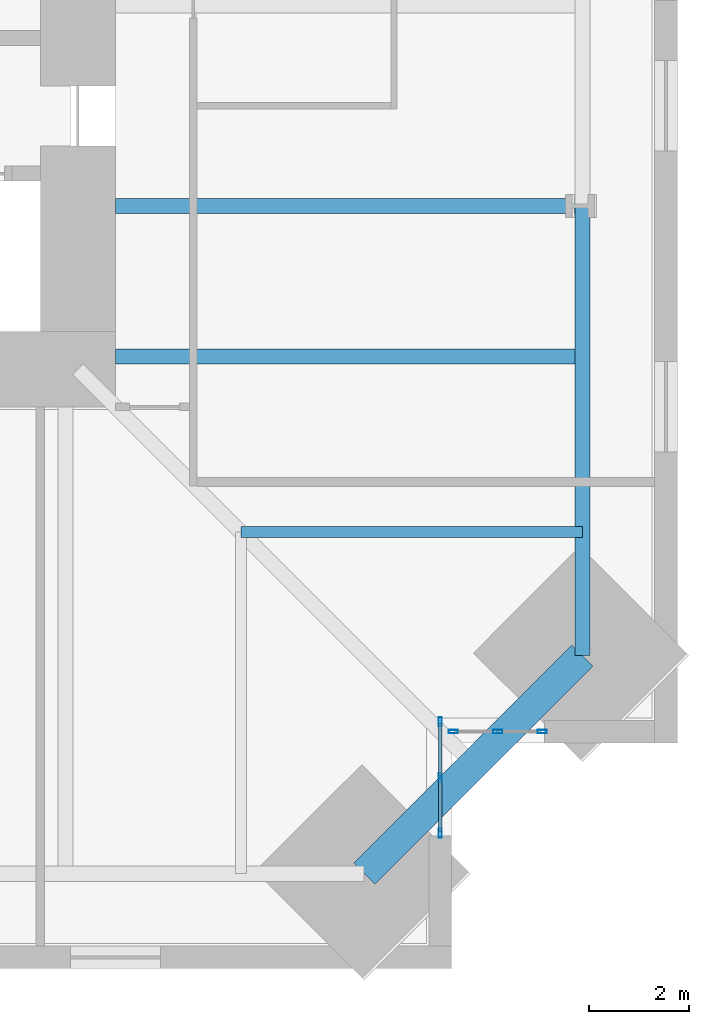
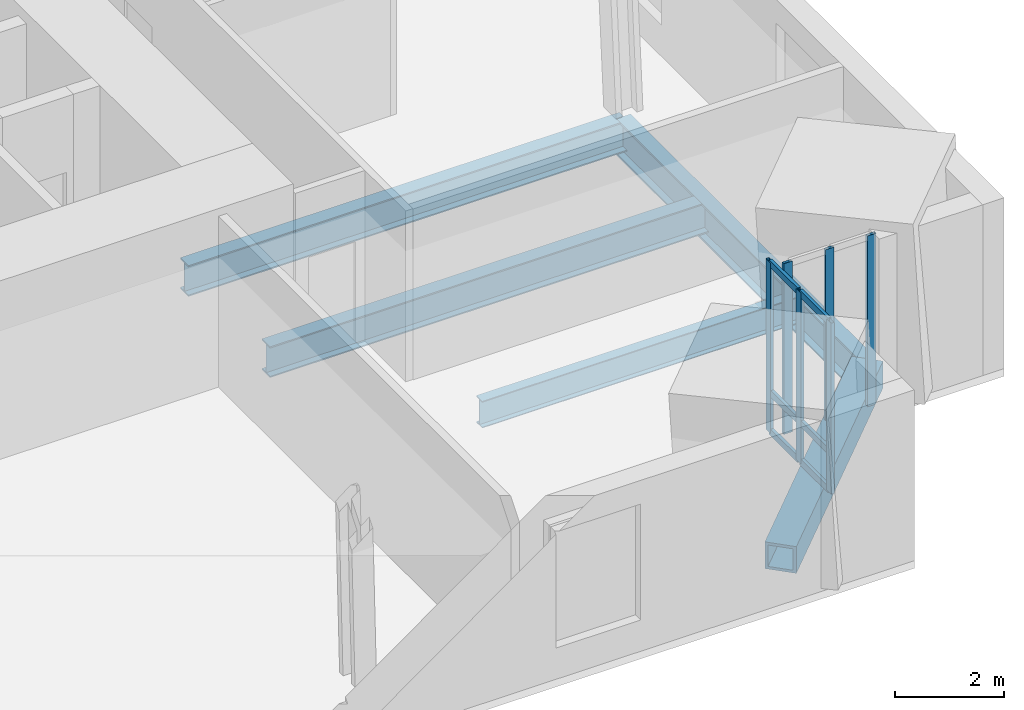
# One storey, part 4 of 15: 12 members, 5 beams, 2 elements without a shape of their own.
"""IFC4 building model written with IfcOpenShell, lengths in metres."""

from ifc_helpers import new_model, si_unit, direction, frame, origin, origin_2d, place, context, subcontext, project, spatial, hollow_rectangle, i_section, extrude, material, material_profile, profile_set, type_object, element, aggregate, save


model = new_model("IFC4")

# Units and contexts
model_context = context("Model", 3, precision=1e-05, world=origin(), true_north=direction((0.0, 1.0)))
body_context = subcontext(model_context, "Body", "Model", "MODEL_VIEW")
ifc_project = project(units=[si_unit("LENGTHUNIT", "METRE"), si_unit("AREAUNIT", "SQUARE_METRE"), si_unit("VOLUMEUNIT", "CUBIC_METRE"), si_unit("PLANEANGLEUNIT", "RADIAN"), si_unit("MASSUNIT", "GRAM", prefix="KILO")], contexts=[model_context])

# Site, building, storey
site_placement = place(None, origin())
site = spatial("IfcSite", under=ifc_project, at=site_placement, CompositionType="ELEMENT")
building_placement = place(site_placement, origin())
building = spatial("IfcBuilding", under=site, at=building_placement, Name="Peilmerk Tower", CompositionType="ELEMENT")
storey_placement = place(building_placement, frame((0.0, 0.0, 237.800048828125)))
storey = spatial("IfcBuildingStorey", under=building, at=storey_placement, Name="L52", CompositionType="ELEMENT", Elevation=237.800048828125)

# Beams
ifc_material_1 = material(Name="Steel S355", Category="steel")
ifc_material_profile_1 = material_profile(ifc_material_1, i_section(OverallWidth=0.219970703125, OverallDepth=0.60009765625, WebThickness=0.011962890625, FlangeThickness=0.01904296875, at=origin_2d()), Name="IPE 600")
ifc_profile_set_1 = profile_set([ifc_material_profile_1], Name="Steel S355")
beam_type_1 = type_object("IfcBeamType", Name="B10 IPE 600 floor beam", PredefinedType="BEAM", material=ifc_profile_set_1)
beam_1_placement = place(storey_placement, frame((14.5, -14.5, -0.469970703125), z_axis=(1.0, 0.0, 0.0), x_axis=(0.0, 1.0, 0.0)))
element("IfcBeam", 1, at=beam_1_placement, inside=storey, type_object=beam_type_1, Name="Floor beam L52", PredefinedType="BEAM", context=body_context, shape_type="SweptSolid", body=[
    extrude(i_section(OverallWidth=0.219970703125, OverallDepth=0.60009765625, WebThickness=0.011962890625, FlangeThickness=0.01904296875, at=origin_2d()), origin(), (0.0, 0.0, 1.0), 6.80810546875),
])
ifc_material_profile_2 = material_profile(ifc_material_1, i_section(OverallWidth=0.302978515625, OverallDepth=0.81396484375, WebThickness=0.02099609375, FlangeThickness=0.0400390625, at=origin_2d()), Name="HEM 800")
ifc_profile_set_2 = profile_set([ifc_material_profile_2], Name="Steel S355")
beam_type_2 = type_object("IfcBeamType", Name="B15 HEM 800 edge beam", PredefinedType="SPANDREL", material=ifc_profile_set_2)
beam_2_placement = place(storey_placement, frame((21.30810546875, -16.9580078125, -0.5771484375), z_axis=(0.0, 1.0, 0.0), x_axis=(-1.0, 0.0, 0.0)))
element("IfcBeam", 2, at=beam_2_placement, inside=storey, type_object=beam_type_2, Name="Edge beam L52", PredefinedType="SPANDREL", context=body_context, shape_type="SweptSolid", body=[
    extrude(i_section(OverallWidth=0.302978515625, OverallDepth=0.81396484375, WebThickness=0.02099609375, FlangeThickness=0.0400390625, at=origin_2d()), origin(), (0.0, 0.0, 1.0), 8.9580078125),
])
ifc_material_profile_3 = material_profile(ifc_material_1, i_section(OverallWidth=0.300048828125, OverallDepth=0.68994140625, WebThickness=0.014404296875, FlangeThickness=0.027099609375, at=origin_2d()), Name="HEA 700")
ifc_profile_set_3 = profile_set([ifc_material_profile_3], Name="Steel S355")
beam_type_3 = type_object("IfcBeamType", Name="B16 HEA 700 floor beam", PredefinedType="BEAM", material=ifc_profile_set_3)
for number, where, z_axis, x_axis, name in (
    (3, (12.0, -11.0, -0.51513671875), (1.0, 0.0, 0.0), (0.0, 1.0, 0.0), "Floor beam L52"),
    (4, (12.0, -8.0, -0.51513671875), (1.0, 0.0, 0.0), (0.0, 1.0, 0.0), "Floor beam L52"),
):
    element("IfcBeam", number, at=place(storey_placement, frame(where, z_axis=z_axis, x_axis=x_axis)), inside=storey, type_object=beam_type_3, Name=name, PredefinedType="BEAM", context=body_context, shape_type="SweptSolid", body=[
        extrude(i_section(OverallWidth=0.300048828125, OverallDepth=0.68994140625, WebThickness=0.014404296875, FlangeThickness=0.027099609375, at=origin_2d()), origin(), (0.0, 0.0, 1.0), 9.30810546875),
    ])
ifc_material_2 = material(Name="Steel S460", Category="steel")
ifc_material_profile_4 = material_profile(ifc_material_2, hollow_rectangle(XDim=0.60009765625, YDim=0.60009765625, WallThickness=0.06005859375, at=origin_2d()), Name="BOX 600x600x60")
ifc_profile_set_4 = profile_set([ifc_material_profile_4], Name="Steel S460")
beam_type_4 = type_object("IfcBeamType", Name="B20 BOX 600x600x60 notch beam", PredefinedType="SPANDREL", material=ifc_profile_set_4)
beam_3_placement = place(storey_placement, frame((21.30810546875, -16.9580078125, -0.469970703125), z_axis=(-0.707106781187, -0.707106781187, 0.0), x_axis=(0.707106781187, -0.707106781187, 0.0)))
element("IfcBeam", 5, at=beam_3_placement, inside=storey, type_object=beam_type_4, Name="Notch beam L52", PredefinedType="SPANDREL", context=body_context, shape_type="SweptSolid", body=[
    extrude(hollow_rectangle(XDim=0.60009765625, YDim=0.60009765625, WallThickness=0.06005859375, at=origin_2d()), origin(), (0.0, 0.0, 1.0), 6.15185546875),
])

# Curtain wall, members
ifc_material_3 = material(Name="Aluminium stick curtain wall", Category="aluminium")
curtain_wall_type = type_object("IfcCurtainWallType", Name="CW4 stick curtain wall, 2250 module", PredefinedType="NOTDEFINED", material=ifc_material_3)
curtain_wall_1_placement = place(storey_placement, origin())
curtain_wall_1 = element("IfcCurtainWall", 6, at=curtain_wall_1_placement, inside=storey, type_object=curtain_wall_type, Name="Curtain wall CW4 SEA L52", PredefinedType="NOTDEFINED")
ifc_material_4 = material(Name="Aluminium EN AW-6063 T6", Category="aluminium")
ifc_material_profile_5 = material_profile(ifc_material_4, hollow_rectangle(XDim=0.06494140625, YDim=0.179931640625, WallThickness=0.0029296875, at=origin_2d()), Name="AL 180x65x3")
ifc_profile_set_5 = profile_set([ifc_material_profile_5], Name="Aluminium EN AW-6063 T6")
member_type_1 = type_object("IfcMemberType", Name="CW4-M AL 180x65x3 mullion", PredefinedType="MULLION", material=ifc_profile_set_5)
member_1_placement = place(storey_placement, frame((18.47509765625, -18.282470703125, 0.0), z_axis=(0.0, 0.0, 1.0), x_axis=(1.0, 0.0, 0.0)))
member_1 = element("IfcMember", 7, at=member_1_placement, type_object=member_type_1, Name="CW4 mullion 1", PredefinedType="MULLION", context=body_context, shape_type="SweptSolid", body=[
    extrude(hollow_rectangle(XDim=0.06494140625, YDim=0.179931640625, WallThickness=0.0029296875, at=origin_2d()), origin(), (0.0, 0.0, 1.0), 3.829833984375),
])
member_2_placement = place(storey_placement, frame((18.47509765625, -19.394287109375, 0.0), z_axis=(0.0, 0.0, 1.0), x_axis=(1.0, 0.0, 0.0)))
member_2 = element("IfcMember", 8, at=member_2_placement, type_object=member_type_1, Name="CW4 mullion 2", PredefinedType="MULLION", context=body_context, shape_type="SweptSolid", body=[
    extrude(hollow_rectangle(XDim=0.06494140625, YDim=0.179931640625, WallThickness=0.0029296875, at=origin_2d()), origin(), (0.0, 0.0, 1.0), 3.829833984375),
])
member_3_placement = place(storey_placement, frame((18.47509765625, -20.506103515625, 0.0), z_axis=(0.0, 0.0, 1.0), x_axis=(1.0, 0.0, 0.0)))
member_3 = element("IfcMember", 9, at=member_3_placement, type_object=member_type_1, Name="CW4 mullion 3", PredefinedType="MULLION", context=body_context, shape_type="SweptSolid", body=[
    extrude(hollow_rectangle(XDim=0.06494140625, YDim=0.179931640625, WallThickness=0.0029296875, at=origin_2d()), origin(), (0.0, 0.0, 1.0), 3.829833984375),
])

curtain_wall_2_placement = place(storey_placement, origin())
curtain_wall_2 = element("IfcCurtainWall", 10, at=curtain_wall_2_placement, inside=storey, type_object=curtain_wall_type, Name="Curtain wall CW4 SEB L52", PredefinedType="NOTDEFINED")
member_4_placement = place(storey_placement, frame((18.732421875, -18.47509765625, 0.0), z_axis=(0.0, 0.0, 1.0), x_axis=(0.0, 1.0, 0.0)))
member_4 = element("IfcMember", 11, at=member_4_placement, type_object=member_type_1, Name="CW4 mullion 1", PredefinedType="MULLION", context=body_context, shape_type="SweptSolid", body=[
    extrude(hollow_rectangle(XDim=0.06494140625, YDim=0.179931640625, WallThickness=0.0029296875, at=origin_2d()), origin(), (0.0, 0.0, 1.0), 3.829833984375),
])
member_5_placement = place(storey_placement, frame((19.619384765625, -18.47509765625, 0.0), z_axis=(0.0, 0.0, 1.0), x_axis=(0.0, 1.0, 0.0)))
member_5 = element("IfcMember", 12, at=member_5_placement, type_object=member_type_1, Name="CW4 mullion 2", PredefinedType="MULLION", context=body_context, shape_type="SweptSolid", body=[
    extrude(hollow_rectangle(XDim=0.06494140625, YDim=0.179931640625, WallThickness=0.0029296875, at=origin_2d()), origin(), (0.0, 0.0, 1.0), 3.829833984375),
])
member_6_placement = place(storey_placement, frame((20.506103515625, -18.47509765625, 0.0), z_axis=(0.0, 0.0, 1.0), x_axis=(0.0, 1.0, 0.0)))
member_6 = element("IfcMember", 13, at=member_6_placement, type_object=member_type_1, Name="CW4 mullion 3", PredefinedType="MULLION", context=body_context, shape_type="SweptSolid", body=[
    extrude(hollow_rectangle(XDim=0.06494140625, YDim=0.179931640625, WallThickness=0.0029296875, at=origin_2d()), origin(), (0.0, 0.0, 1.0), 3.829833984375),
])
aggregate(curtain_wall_2, [member_4, member_5, member_6])

# Member
ifc_material_profile_6 = material_profile(ifc_material_4, hollow_rectangle(XDim=0.06494140625, YDim=0.14990234375, WallThickness=0.0029296875, at=origin_2d()), Name="AL 150x65x3")
ifc_profile_set_6 = profile_set([ifc_material_profile_6], Name="Aluminium EN AW-6063 T6")
member_type_2 = type_object("IfcMemberType", Name="CW4-T AL 150x65x3 transom", PredefinedType="USERDEFINED", material=ifc_profile_set_6)
member_7_placement = place(storey_placement, frame((18.47509765625, -18.31494140625, 0.032470703125), z_axis=(0.0, -1.0, 0.0), x_axis=(1.0, 0.0, 0.0)))
member_7 = element("IfcMember", 14, at=member_7_placement, type_object=member_type_2, Name="CW4 transom 1.1", ObjectType="TRANSOM", PredefinedType="USERDEFINED", context=body_context, shape_type="SweptSolid", body=[
    extrude(hollow_rectangle(XDim=0.06494140625, YDim=0.14990234375, WallThickness=0.0029296875, at=origin_2d()), origin(), (0.0, 0.0, 1.0), 1.046875),
])

member_8_placement = place(storey_placement, frame((18.47509765625, -18.31494140625, 0.89990234375), z_axis=(0.0, -1.0, 0.0), x_axis=(1.0, 0.0, 0.0)))
member_8 = element("IfcMember", 15, at=member_8_placement, type_object=member_type_2, Name="CW4 transom 1.2", ObjectType="TRANSOM", PredefinedType="USERDEFINED", context=body_context, shape_type="SweptSolid", body=[
    extrude(hollow_rectangle(XDim=0.06494140625, YDim=0.14990234375, WallThickness=0.0029296875, at=origin_2d()), origin(), (0.0, 0.0, 1.0), 1.046875),
])

member_9_placement = place(storey_placement, frame((18.47509765625, -18.31494140625, 3.79736328125), z_axis=(0.0, -1.0, 0.0), x_axis=(1.0, 0.0, 0.0)))
member_9 = element("IfcMember", 16, at=member_9_placement, type_object=member_type_2, Name="CW4 transom 1.3", ObjectType="TRANSOM", PredefinedType="USERDEFINED", context=body_context, shape_type="SweptSolid", body=[
    extrude(hollow_rectangle(XDim=0.06494140625, YDim=0.14990234375, WallThickness=0.0029296875, at=origin_2d()), origin(), (0.0, 0.0, 1.0), 1.046875),
])

member_10_placement = place(storey_placement, frame((18.47509765625, -19.4267578125, 0.032470703125), z_axis=(0.0, -1.0, 0.0), x_axis=(1.0, 0.0, 0.0)))
member_10 = element("IfcMember", 17, at=member_10_placement, type_object=member_type_2, Name="CW4 transom 2.1", ObjectType="TRANSOM", PredefinedType="USERDEFINED", context=body_context, shape_type="SweptSolid", body=[
    extrude(hollow_rectangle(XDim=0.06494140625, YDim=0.14990234375, WallThickness=0.0029296875, at=origin_2d()), origin(), (0.0, 0.0, 1.0), 1.046875),
])

member_11_placement = place(storey_placement, frame((18.47509765625, -19.4267578125, 0.89990234375), z_axis=(0.0, -1.0, 0.0), x_axis=(1.0, 0.0, 0.0)))
member_11 = element("IfcMember", 18, at=member_11_placement, type_object=member_type_2, Name="CW4 transom 2.2", ObjectType="TRANSOM", PredefinedType="USERDEFINED", context=body_context, shape_type="SweptSolid", body=[
    extrude(hollow_rectangle(XDim=0.06494140625, YDim=0.14990234375, WallThickness=0.0029296875, at=origin_2d()), origin(), (0.0, 0.0, 1.0), 1.046875),
])

member_12_placement = place(storey_placement, frame((18.47509765625, -19.4267578125, 3.79736328125), z_axis=(0.0, -1.0, 0.0), x_axis=(1.0, 0.0, 0.0)))
member_12 = element("IfcMember", 19, at=member_12_placement, type_object=member_type_2, Name="CW4 transom 2.3", ObjectType="TRANSOM", PredefinedType="USERDEFINED", context=body_context, shape_type="SweptSolid", body=[
    extrude(hollow_rectangle(XDim=0.06494140625, YDim=0.14990234375, WallThickness=0.0029296875, at=origin_2d()), origin(), (0.0, 0.0, 1.0), 1.046875),
])

aggregate(curtain_wall_1, [member_1, member_2, member_3, member_7, member_8, member_9, member_10, member_11, member_12])

save(model, "model.ifc")
